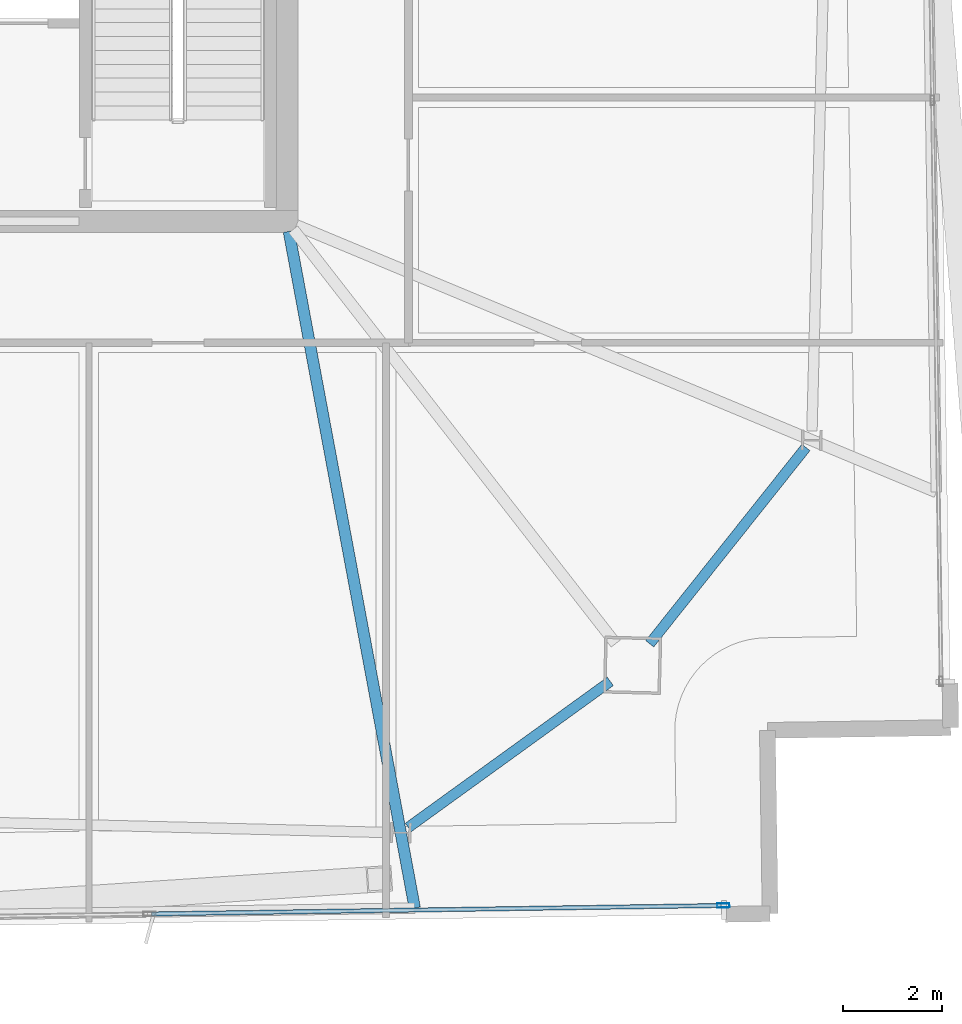
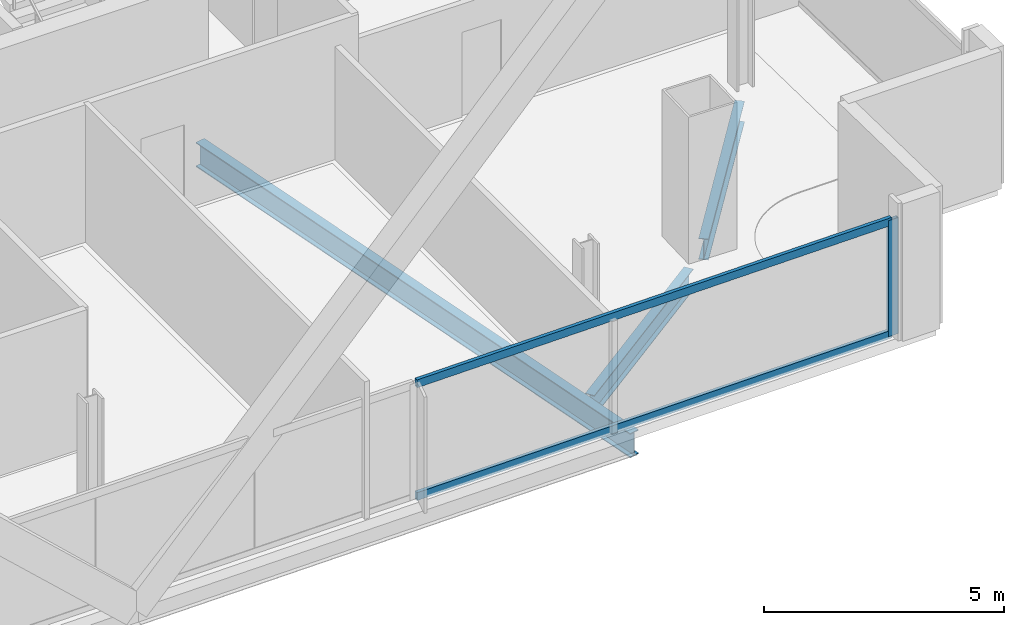
# One storey, part 9 of 25: 3 beams, 3 members, 1 element without a shape of its own.
"""IFC4 building model written with IfcOpenShell, lengths in metres."""

import ifcopenshell
import ifcopenshell.guid

model = None  # the IFC model being written
_history = None  # IfcOwnerHistory: only IFC2X3 demands one
_inside = {}  # id of a spatial element -> (the spatial element, [elements in it])
_under = {}  # id of a project, library or spatial element -> (it, [spatial elements below it])
_declared = {}  # id of a project -> (the project, [libraries it declares])
_typed = {}  # id of a type object -> (the type object, [elements of that type])
_made_of = {}  # id of a material, layer set ... -> (it, [elements and type objects made of it])


def new_model(schema):
    """Start an empty IFC model of exactly this schema.

    Asked for "IFC4X3", IfcOpenShell would pick the latest addendum, in which some entities
    have other attributes; the version numbers below select the first issue.
    IFC2X3 requires an IfcOwnerHistory on every rooted entity: one is made here for all.
    """
    global model, _history
    if schema == "IFC4X3":
        model = ifcopenshell.file(schema_version=(4, 3, 0, 0))
    else:
        model = ifcopenshell.file(schema=schema)
    _inside.clear()
    _under.clear()
    _declared.clear()
    _typed.clear()
    _made_of.clear()
    _history = None
    if model.schema == "IFC2X3":
        org = make("IfcOrganization", Name="unknown")
        user = make(
            "IfcPersonAndOrganization",
            ThePerson=make("IfcPerson", FamilyName="unknown"),
            TheOrganization=org,
        )
        app = make(
            "IfcApplication",
            ApplicationDeveloper=org,
            Version="unknown",
            ApplicationFullName="unknown",
            ApplicationIdentifier="unknown",
        )
        _history = make(
            "IfcOwnerHistory",
            OwningUser=user,
            OwningApplication=app,
            ChangeAction="ADDED",
            CreationDate=0,
        )
    return model


def make(cls, **values):
    """One entity of the class cls with the attributes given. An attribute that is None is left unset."""
    return model.create_entity(
        cls, **{name: value for name, value in values.items() if value is not None}
    )


def rooted(cls, **values):
    """An entity with a GlobalId (a new one), such as an element, a storey or a relation."""
    return make(cls, GlobalId=ifcopenshell.guid.new(), OwnerHistory=_history, **values)


def si_unit(unit_type, name, prefix=None):
    """IfcSIUnit, for example si_unit("LENGTHUNIT", "METRE", prefix="MILLI")."""
    return make("IfcSIUnit", UnitType=unit_type, Prefix=prefix, Name=name)


def assignment(units):
    """IfcUnitAssignment: the units of a project."""
    return None if units is None else make("IfcUnitAssignment", Units=units)


def point(xyz):
    """IfcCartesianPoint."""
    return None if xyz is None else make("IfcCartesianPoint", Coordinates=xyz)


def direction(xyz):
    """IfcDirection."""
    return None if xyz is None else make("IfcDirection", DirectionRatios=xyz)


def frame(location, z_axis=None, x_axis=None):
    """IfcAxis2Placement3D, a coordinate frame: its origin and axes. An axis left out is left unset."""
    return make(
        "IfcAxis2Placement3D",
        Location=point(location),
        Axis=direction(z_axis),
        RefDirection=direction(x_axis),
    )


def frame_2d(location, x_axis=None):
    """IfcAxis2Placement2D, a coordinate frame in the plane: its origin and x axis."""
    return make(
        "IfcAxis2Placement2D", Location=point(location), RefDirection=direction(x_axis)
    )


def origin():
    """The frame at (0, 0, 0) with its axes left unset."""
    return frame((0.0, 0.0, 0.0))


def origin_2d():
    """The frame at (0, 0) in the plane with its x axis left unset."""
    return frame_2d((0.0, 0.0))


def place(relative_to, where):
    """IfcLocalPlacement: puts the frame where relative to a parent placement (None: the world)."""
    return make(
        "IfcLocalPlacement", PlacementRelTo=relative_to, RelativePlacement=where
    )


def context(
    kind, dimensions, precision=None, world=None, true_north=None, identifier=None
):
    """IfcGeometricRepresentationContext, for example the 3D "Model" context."""
    return make(
        "IfcGeometricRepresentationContext",
        ContextIdentifier=identifier,
        ContextType=kind,
        CoordinateSpaceDimension=dimensions,
        Precision=precision,
        WorldCoordinateSystem=world,
        TrueNorth=true_north,
    )


def subcontext(parent, identifier, kind, view, scale=None):
    """IfcGeometricRepresentationSubContext, for example "Body" below "Model"."""
    return make(
        "IfcGeometricRepresentationSubContext",
        ContextIdentifier=identifier,
        ContextType=kind,
        ParentContext=parent,
        TargetScale=scale,
        TargetView=view,
    )


def project(units=None, contexts=None):
    """IfcProject with its units and contexts."""
    return rooted(
        "IfcProject",
        Name="project",
        RepresentationContexts=contexts,
        UnitsInContext=assignment(units),
    )


def spatial(cls, under=None, at=None, **own):
    """A site, building, storey or space (cls), placed at a placement, below another one or the project."""
    s = rooted(cls, ObjectPlacement=at, **own)
    if under is not None:
        _under.setdefault(under.id(), (under, []))[1].append(s)
    return s


def profile(cls, at=None, kind="AREA", **sizes):
    """A parametric profile (cls). Its sizes go by their IFC names, for example OverallWidth=200.0."""
    return make(cls, ProfileType=kind, Position=at, **sizes)


def hollow_rectangle(**sizes):
    """IfcRectangleHollowProfileDef."""
    return profile("IfcRectangleHollowProfileDef", **sizes)


def i_section(**sizes):
    """IfcIShapeProfileDef."""
    return profile("IfcIShapeProfileDef", **sizes)


def extrude(swept, where, along, depth):
    """IfcExtrudedAreaSolid: the profile swept, set in the frame where, extruded along a direction by depth."""
    return make(
        "IfcExtrudedAreaSolid",
        SweptArea=swept,
        Position=where,
        ExtrudedDirection=direction(along),
        Depth=depth,
    )


def shape(context_of_items, identifier, shape_type, items):
    """IfcShapeRepresentation: the items that make up one representation, for example the "Body"."""
    return make(
        "IfcShapeRepresentation",
        ContextOfItems=context_of_items,
        RepresentationIdentifier=identifier,
        RepresentationType=shape_type,
        Items=items,
    )


def material(Name=None, Category=None):
    """IfcMaterial."""
    return make("IfcMaterial", Name=Name, Category=Category)


def material_profile(
    of_material, cross_section, Name=None, Category=None, Priority=None
):
    """IfcMaterialProfile: a cross section and its material."""
    return make(
        "IfcMaterialProfile",
        Name=Name,
        Material=of_material,
        Profile=cross_section,
        Priority=Priority,
        Category=Category,
    )


def profile_set(profiles, Name=None, composite=None):
    """IfcMaterialProfileSet."""
    return make(
        "IfcMaterialProfileSet",
        Name=Name,
        MaterialProfiles=profiles,
        CompositeProfile=composite,
    )


def made_of(thing, what):
    """Note that an element or type object is made of a material, layer set ...; save() writes the relation."""
    if what is not None:
        _made_of.setdefault(what.id(), (what, []))[1].append(thing)
    return thing


def type_object(cls, material=None, **own):
    """A type object (cls), such as IfcWallType, which elements share."""
    return made_of(rooted(cls, **own), material)


def element(
    cls,
    number,
    at=None,
    inside=None,
    cuts=None,
    type_object=None,
    material=None,
    context=None,
    identifier="Body",
    shape_type=None,
    held_by="IfcProductDefinitionShape",
    body=None,
    shapes=None,
    **own,
):
    """One element of the class cls, such as IfcWall. Its Tag is "e" and its number.

    at: its placement. inside: the storey or other place that contains it. cuts: it is an
    opening in that element (IfcRelVoidsElement). A single representation is given by context,
    identifier, shape_type and body (its items); several are given by shapes. held_by: the class
    of the entity that holds the representations. save() writes the other relations.
    """
    e = rooted(cls, Tag="e%d" % number, ObjectPlacement=at, **own)
    if body is not None:
        shapes = [shape(context, identifier, shape_type, body)]
    if shapes is not None:
        e.Representation = make(held_by, Representations=shapes)
    if inside is not None:
        _inside.setdefault(inside.id(), (inside, []))[1].append(e)
    if cuts is not None:
        rooted(
            "IfcRelVoidsElement", RelatingBuildingElement=cuts, RelatedOpeningElement=e
        )
    if type_object is not None:
        _typed.setdefault(type_object.id(), (type_object, []))[1].append(e)
    return made_of(e, material)


def aggregate(whole, parts):
    """IfcRelAggregates: a whole, such as a stair, and the parts it consists of."""
    return rooted("IfcRelAggregates", RelatingObject=whole, RelatedObjects=parts)


def save(model, path):
    """Write the relations noted so far, then the file.

    IfcRelAggregates (storeys below a building ...), IfcRelContainedInSpatialStructure (elements
    in a storey), IfcRelDefinesByType, IfcRelAssociatesMaterial and IfcRelDeclares: one each for
    every whole, place, type object, material and project.
    """
    for whole, parts in _under.values():
        aggregate(whole, parts)
    for where, things in _inside.values():
        rooted(
            "IfcRelContainedInSpatialStructure",
            RelatedElements=things,
            RelatingStructure=where,
        )
    for kind, things in _typed.values():
        rooted("IfcRelDefinesByType", RelatedObjects=things, RelatingType=kind)
    for what, things in _made_of.values():
        rooted("IfcRelAssociatesMaterial", RelatedObjects=things, RelatingMaterial=what)
    for by, libraries in _declared.values():
        rooted("IfcRelDeclares", RelatingContext=by, RelatedDefinitions=libraries)
    model.write(path)


model = new_model("IFC4")

# Units and contexts
model_context = context("Model", 3, precision=1e-05, world=origin(), true_north=direction((0.0, 1.0)))
body_context = subcontext(model_context, "Body", "Model", "MODEL_VIEW")
ifc_project = project(units=[si_unit("LENGTHUNIT", "METRE"), si_unit("AREAUNIT", "SQUARE_METRE"), si_unit("VOLUMEUNIT", "CUBIC_METRE"), si_unit("PLANEANGLEUNIT", "RADIAN"), si_unit("MASSUNIT", "GRAM", prefix="KILO")], contexts=[model_context])

# Site, building, storey
site_placement = place(None, origin())
site = spatial("IfcSite", under=ifc_project, at=site_placement, CompositionType="ELEMENT")
building_placement = place(site_placement, origin())
building = spatial("IfcBuilding", under=site, at=building_placement, Name="Haldenkirk Collegiate Tower", CompositionType="ELEMENT")
storey_placement = place(building_placement, frame((0.0, 0.0, 332.699951171875)))
storey = spatial("IfcBuildingStorey", under=building, at=storey_placement, Name="L84", CompositionType="ELEMENT", Elevation=332.699951171875)

# Beams
ifc_material_1 = material(Name="Steel ASTM A992 Grade 50", Category="steel")
ifc_material_profile_1 = material_profile(ifc_material_1, i_section(OverallWidth=0.22998046875, OverallDepth=0.616943359375, WebThickness=0.01318359375, FlangeThickness=0.022216796875, at=origin_2d()), Name="W24X94")
ifc_profile_set_1 = profile_set([ifc_material_profile_1], Name="Steel ASTM A992 Grade 50")
beam_type_1 = type_object("IfcBeamType", Name="BM-GIRDER-W24X94", PredefinedType="BEAM", material=ifc_profile_set_1)
beam_1_placement = place(storey_placement, frame((47.579345703125, 4.139404296875, -0.568359375), z_axis=(-0.182943069439, 0.983123508693, 0.0), x_axis=(-0.983123508693, -0.182943069439, 0.0)))
element("IfcBeam", 1, at=beam_1_placement, inside=storey, type_object=beam_type_1, Name="L84 primary floor girder 16", PredefinedType="BEAM", context=body_context, shape_type="SweptSolid", body=[
    extrude(i_section(OverallWidth=0.22998046875, OverallDepth=0.616943359375, WebThickness=0.01318359375, FlangeThickness=0.022216796875, at=origin_2d()), origin(), (0.0, 0.0, 1.0), 13.8935546875),
])
ifc_material_profile_2 = material_profile(ifc_material_1, i_section(OverallWidth=0.2099609375, OverallDepth=0.537109375, WebThickness=0.010986328125, FlangeThickness=0.017333984375, at=origin_2d()), Name="W21X68")
ifc_profile_set_2 = profile_set([ifc_material_profile_2], Name="Steel ASTM A992 Grade 50")
beam_type_2 = type_object("IfcBeamType", Name="BM-SPANDREL-W21X68", PredefinedType="SPANDREL", material=ifc_profile_set_2)
beam_2_placement = place(storey_placement, frame((52.321533203125, 9.474609375, -0.528564453125), z_axis=(0.622700032294, 0.782460650628, 0.0), x_axis=(-0.782460650628, 0.622700032294, 0.0)))
element("IfcBeam", 2, at=beam_2_placement, inside=storey, type_object=beam_type_2, Name="L84 perimeter spandrel beam 01", PredefinedType="SPANDREL", context=body_context, shape_type="SweptSolid", body=[
    extrude(i_section(OverallWidth=0.2099609375, OverallDepth=0.537109375, WebThickness=0.010986328125, FlangeThickness=0.017333984375, at=origin_2d()), origin(), (0.0, 0.0, 1.0), 5.064453125),
])
beam_3_placement = place(storey_placement, frame((47.44921875, 5.767578125, -0.528564453125), z_axis=(0.810388642646, 0.585892693136, 0.0), x_axis=(-0.585892693136, 0.810388642646, 0.0)))
element("IfcBeam", 3, at=beam_3_placement, inside=storey, type_object=beam_type_2, Name="L84 perimeter spandrel beam 16", PredefinedType="SPANDREL", context=body_context, shape_type="SweptSolid", body=[
    extrude(i_section(OverallWidth=0.2099609375, OverallDepth=0.537109375, WebThickness=0.010986328125, FlangeThickness=0.017333984375, at=origin_2d()), origin(), (0.0, 0.0, 1.0), 5.03076171875),
])

# Curtain wall, members
ifc_material_2 = material(Name="Anodised architectural bronze aluminium", Category="aluminium")
curtain_wall_type = type_object("IfcCurtainWallType", Name="CW-SYS1B-CONVEX-HI", PredefinedType="USERDEFINED", material=ifc_material_2)
curtain_wall_placement = place(storey_placement, origin())
curtain_wall = element("IfcCurtainWall", 4, at=curtain_wall_placement, inside=storey, type_object=curtain_wall_type, Name="L84 Upper tower high-wind convex bronze unitised curtain wall", ObjectType="UNITISED CURTAIN WALL", PredefinedType="USERDEFINED")
ifc_material_profile_3 = material_profile(ifc_material_2, hollow_rectangle(XDim=0.0849609375, YDim=0.25, WallThickness=0.0048828125, at=origin_2d()), Name="CW-MUL-1B")
ifc_profile_set_3 = profile_set([ifc_material_profile_3], Name="Anodised architectural bronze aluminium")
member_type_1 = type_object("IfcMemberType", Name="CW-MUL-1B", PredefinedType="MULLION", material=ifc_profile_set_3)
member_1_placement = place(storey_placement, frame((53.807861328125, 4.191650390625, 0.0), z_axis=(0.0, 0.0, 1.0), x_axis=(0.014833001798, -0.999889984977, 0.0)))
member_1 = element("IfcMember", 5, at=member_1_placement, type_object=member_type_1, Name="CW-1B mullion 1", PredefinedType="MULLION", context=body_context, shape_type="SweptSolid", body=[
    extrude(hollow_rectangle(XDim=0.0849609375, YDim=0.25, WallThickness=0.0048828125, at=origin_2d()), origin(), (0.0, 0.0, 1.0), 2.947998046875),
])
ifc_material_profile_4 = material_profile(ifc_material_2, hollow_rectangle(XDim=0.0849609375, YDim=0.199951171875, WallThickness=0.0048828125, at=origin_2d()), Name="CW-TRN-1B")
ifc_profile_set_4 = profile_set([ifc_material_profile_4], Name="Anodised architectural bronze aluminium")
member_type_2 = type_object("IfcMemberType", Name="CW-TRN-1B", PredefinedType="USERDEFINED", material=ifc_profile_set_4)
member_2_placement = place(storey_placement, frame((53.765380859375, 4.191162109375, 0.04248046875), z_axis=(-0.999889837928, -0.014842911075, 0.0), x_axis=(0.014842911075, -0.999889837928, 0.0)))
member_2 = element("IfcMember", 6, at=member_2_placement, type_object=member_type_2, Name="CW-1B transom 1.1", ObjectType="TRANSOM", PredefinedType="USERDEFINED", context=body_context, shape_type="SweptSolid", body=[
    extrude(hollow_rectangle(XDim=0.0849609375, YDim=0.199951171875, WallThickness=0.0048828125, at=origin_2d()), origin(), (0.0, 0.0, 1.0), 11.497314453125),
])
member_3_placement = place(storey_placement, frame((53.765380859375, 4.191162109375, 2.905517578125), z_axis=(-0.999889837928, -0.014842911075, 0.0), x_axis=(0.014842911075, -0.999889837928, 0.0)))
member_3 = element("IfcMember", 7, at=member_3_placement, type_object=member_type_2, Name="CW-1B transom 1.2", ObjectType="TRANSOM", PredefinedType="USERDEFINED", context=body_context, shape_type="SweptSolid", body=[
    extrude(hollow_rectangle(XDim=0.0849609375, YDim=0.199951171875, WallThickness=0.0048828125, at=origin_2d()), origin(), (0.0, 0.0, 1.0), 11.497314453125),
])
aggregate(curtain_wall, [member_1, member_2, member_3])

save(model, "model.ifc")
